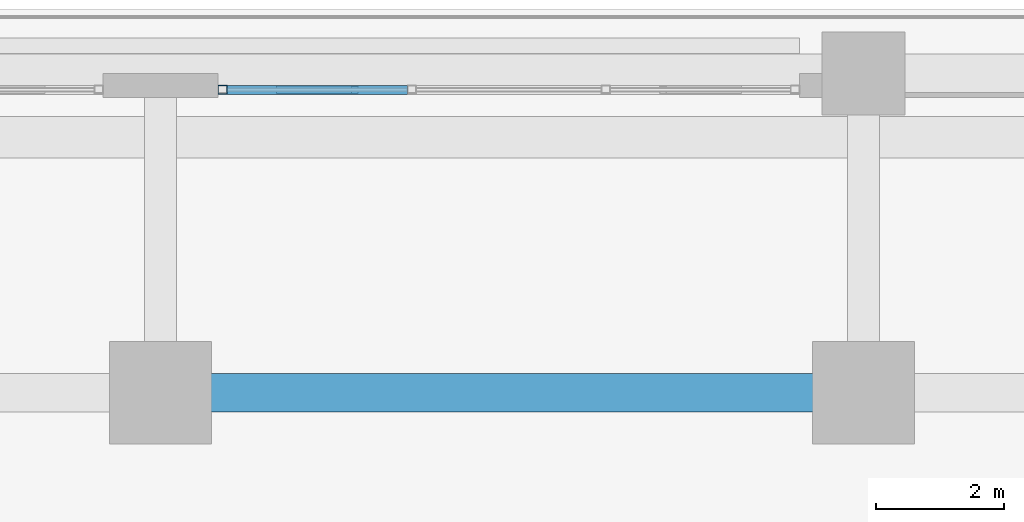
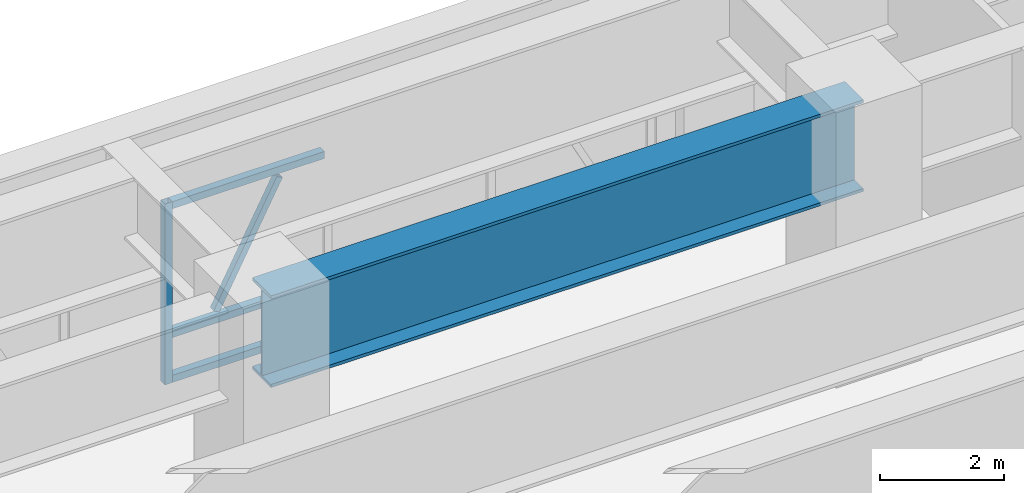
# One storey, part 12 of 28: 5 members, 1 beam, 1 element without a shape of its own.
"""IFC4 building model written with IfcOpenShell, lengths in metres."""

from ifc_helpers import new_model, si_unit, direction, frame, origin, origin_2d, place, context, subcontext, project, spatial, hollow_rectangle, i_section, extrude, source, transform, mapped, material, material_profile, profile_set, type_object, element, aggregate, save


model = new_model("IFC4")

# Units and contexts
model_context = context("Model", 3, precision=1e-05, world=origin(), true_north=direction((0.0, 1.0)))
body_context = subcontext(model_context, "Body", "Model", "MODEL_VIEW")
ifc_project = project(units=[si_unit("LENGTHUNIT", "METRE"), si_unit("AREAUNIT", "SQUARE_METRE"), si_unit("VOLUMEUNIT", "CUBIC_METRE"), si_unit("PLANEANGLEUNIT", "RADIAN"), si_unit("MASSUNIT", "GRAM", prefix="KILO")], contexts=[model_context])

# Site, building, storey
site_placement = place(None, origin())
site = spatial("IfcSite", under=ifc_project, at=site_placement, CompositionType="ELEMENT")
building_placement = place(site_placement, origin())
building = spatial("IfcBuilding", under=site, at=building_placement, Name="Khorayat Bourse Tower", CompositionType="ELEMENT")
storey_placement = place(building_placement, frame((0.0, 0.0, 6.60009765625)))
storey = spatial("IfcBuildingStorey", under=building, at=storey_placement, Name="L01", CompositionType="ELEMENT", Elevation=6.60009765625)

# Beam
ifc_material_1 = material(Name="Steel EN 10025-4 S460M", Category="steel")
ifc_material_profile_1 = material_profile(ifc_material_1, i_section(OverallWidth=0.60009765625, OverallDepth=1.800048828125, WebThickness=0.031982421875, FlangeThickness=0.06005859375, at=origin_2d()), Name="PG 1800x600x32x60")
ifc_profile_set_1 = profile_set([ifc_material_profile_1], Name="Steel EN 10025-4 S460M")
beam_type = type_object("IfcBeamType", Name="BM-TR-1800", PredefinedType="BEAM", material=ifc_profile_set_1)
shared_shape_1 = source(origin(), body_context, "Body", "SweptSolid", [
    extrude(i_section(OverallWidth=0.60009765625, OverallDepth=1.800048828125, WebThickness=0.031982421875, FlangeThickness=0.06005859375, at=origin_2d()), origin(), (0.0, 0.0, 1.0), 11.0),
])
beam_placement = place(storey_placement, frame((0.0, 32.0, 4.179931640625), z_axis=(1.0, 0.0, 0.0), x_axis=(0.0, 1.0, 0.0)))
element("IfcBeam", 1, at=beam_placement, inside=storey, type_object=beam_type, Name="L01 BM-TR-1800 BM-L01-PGX-082", PredefinedType="BEAM", context=body_context, shape_type="MappedRepresentation", body=[
    mapped(shared_shape_1, transform((0.0, 0.0, 0.0), scale=1.0)),
])

# Curtain wall, members
ifc_material_2 = material(Name="Aluminium EN AW-6063 T6", Category="aluminium")
curtain_wall_type = type_object("IfcCurtainWallType", Name="CW-SYS-01", PredefinedType="NOTDEFINED", material=ifc_material_2)
curtain_wall_placement = place(storey_placement, origin())
curtain_wall = element("IfcCurtainWall", 2, at=curtain_wall_placement, inside=storey, type_object=curtain_wall_type, Name="L01 Curtain Wall CW-L01-NE", PredefinedType="NOTDEFINED")
ifc_material_profile_2 = material_profile(ifc_material_2, hollow_rectangle(XDim=0.139892578125, YDim=0.139892578125, WallThickness=0.006103515625, at=origin_2d()), Name="ALU 140x140x6")
ifc_profile_set_2 = profile_set([ifc_material_profile_2], Name="Aluminium EN AW-6063 T6")
member_type_1 = type_object("IfcMemberType", Name="CWM-VERT-140", PredefinedType="MULLION", material=ifc_profile_set_2)
shared_shape_2 = source(origin(), body_context, "Body", "SweptSolid", [
    extrude(hollow_rectangle(XDim=0.139892578125, YDim=0.139892578125, WallThickness=0.006103515625, at=origin_2d()), origin(), (0.0, 0.0, 1.0), 3.5498046875),
])
member_1_placement = place(storey_placement, frame((0.969970703125, 36.742919921875, 0.0), z_axis=(0.0, 0.0, 1.0), x_axis=(0.0, -1.0, 0.0)))
member_1 = element("IfcMember", 3, at=member_1_placement, type_object=member_type_1, Name="CW-L01-NE Vertical Mullion 4", PredefinedType="MULLION", context=body_context, shape_type="MappedRepresentation", body=[
    mapped(shared_shape_2, transform((0.0, 0.0, 0.0), scale=1.0)),
])
ifc_material_profile_3 = material_profile(ifc_material_2, hollow_rectangle(XDim=0.1201171875, YDim=0.1201171875, WallThickness=0.0048828125, at=origin_2d()), Name="ALU 120x120x5")
ifc_profile_set_3 = profile_set([ifc_material_profile_3], Name="Aluminium EN AW-6063 T6")
member_type_2 = type_object("IfcMemberType", Name="CWM-DIAG-120", PredefinedType="MULLION", material=ifc_profile_set_3)
shared_shape_3 = source(origin(), body_context, "Body", "SweptSolid", [
    extrude(hollow_rectangle(XDim=0.1201171875, YDim=0.1201171875, WallThickness=0.0048828125, at=origin_2d()), origin(), (0.0, 0.0, 1.0), 2.52001953125),
])
member_2_placement = place(storey_placement, frame((1.86474609375, 36.742919921875, 1.099853515625), z_axis=(0.465794346287, 0.0, 0.884893003118), x_axis=(0.0, 1.0, 0.0)))
member_2 = element("IfcMember", 4, at=member_2_placement, type_object=member_type_2, Name="CW-L01-NE Faceted Diagonal Mullion 3", PredefinedType="MULLION", context=body_context, shape_type="MappedRepresentation", body=[
    mapped(shared_shape_3, transform((0.0, 0.0, 0.0), scale=1.0)),
])
ifc_material_profile_4 = material_profile(ifc_material_2, hollow_rectangle(XDim=0.139892578125, YDim=0.139892578125, WallThickness=0.006103515625, at=origin_2d()), Name="ALU 140x140x6")
ifc_profile_set_4 = profile_set([ifc_material_profile_4], Name="Aluminium EN AW-6063 T6")
member_type_3 = type_object("IfcMemberType", Name="CWT-HORZ-140", PredefinedType="USERDEFINED", material=ifc_profile_set_4)
shared_shape_4 = source(origin(), body_context, "Body", "SweptSolid", [
    extrude(hollow_rectangle(XDim=0.139892578125, YDim=0.139892578125, WallThickness=0.006103515625, at=origin_2d()), origin(), (0.0, 0.0, 1.0), 2.8232421875),
])
member_3_placement = place(storey_placement, frame((3.86328125, 36.742919921875, 0.06982421875), z_axis=(-1.0, 0.0, 0.0), x_axis=(0.0, -1.0, 0.0)))
member_3 = element("IfcMember", 5, at=member_3_placement, type_object=member_type_3, Name="CW-L01-NE Horizontal Transom 3-1", ObjectType="TRANSOM", PredefinedType="USERDEFINED", context=body_context, shape_type="MappedRepresentation", body=[
    mapped(shared_shape_4, transform((0.0, 0.0, 0.0), scale=1.0)),
])
member_4_placement = place(storey_placement, frame((3.86328125, 36.742919921875, 0.949951171875), z_axis=(-1.0, 0.0, 0.0), x_axis=(0.0, -1.0, 0.0)))
member_4 = element("IfcMember", 6, at=member_4_placement, type_object=member_type_3, Name="CW-L01-NE Horizontal Transom 3-2", ObjectType="TRANSOM", PredefinedType="USERDEFINED", context=body_context, shape_type="MappedRepresentation", body=[
    mapped(shared_shape_4, transform((0.0, 0.0, 0.0), scale=1.0)),
])
member_5_placement = place(storey_placement, frame((3.86328125, 36.742919921875, 3.47998046875), z_axis=(-1.0, 0.0, 0.0), x_axis=(0.0, -1.0, 0.0)))
member_5 = element("IfcMember", 7, at=member_5_placement, type_object=member_type_3, Name="CW-L01-NE Horizontal Transom 3-3", ObjectType="TRANSOM", PredefinedType="USERDEFINED", context=body_context, shape_type="MappedRepresentation", body=[
    mapped(shared_shape_4, transform((0.0, 0.0, 0.0), scale=1.0)),
])
aggregate(curtain_wall, [member_1, member_3, member_4, member_5, member_2])

save(model, "model.ifc")
